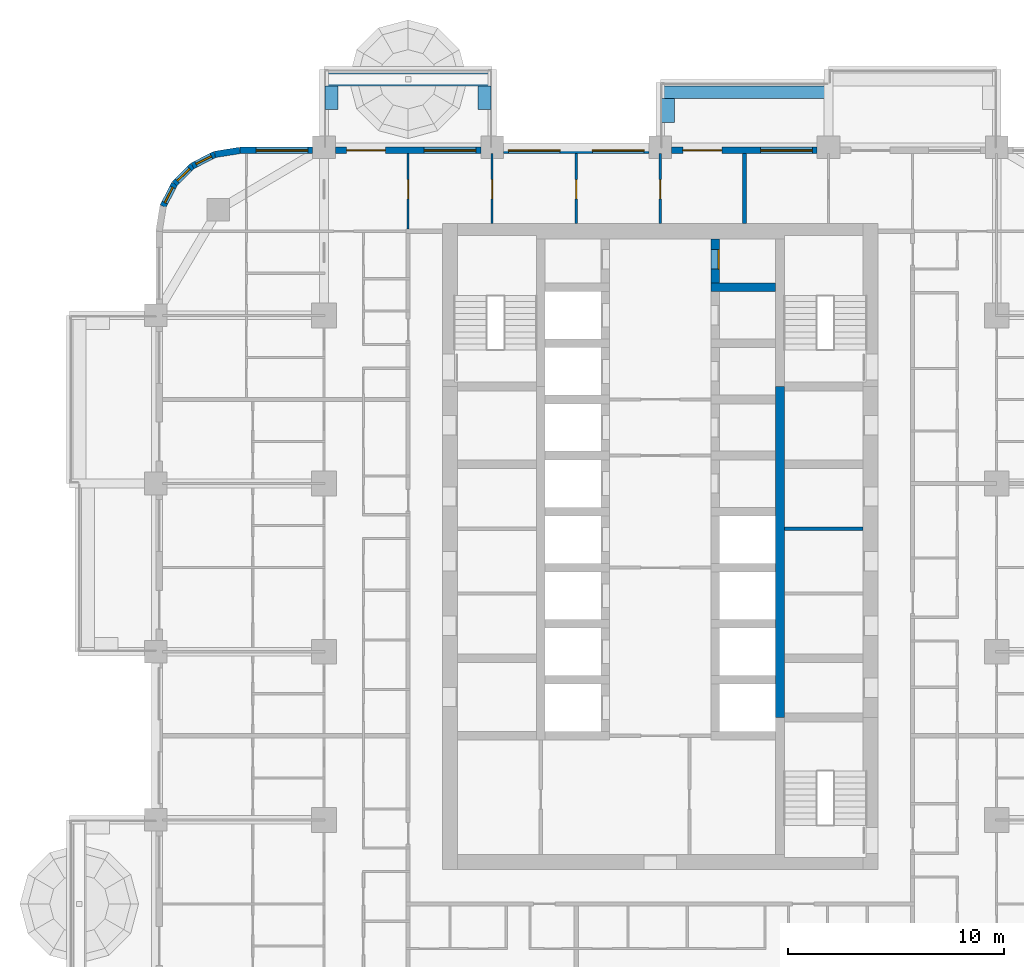
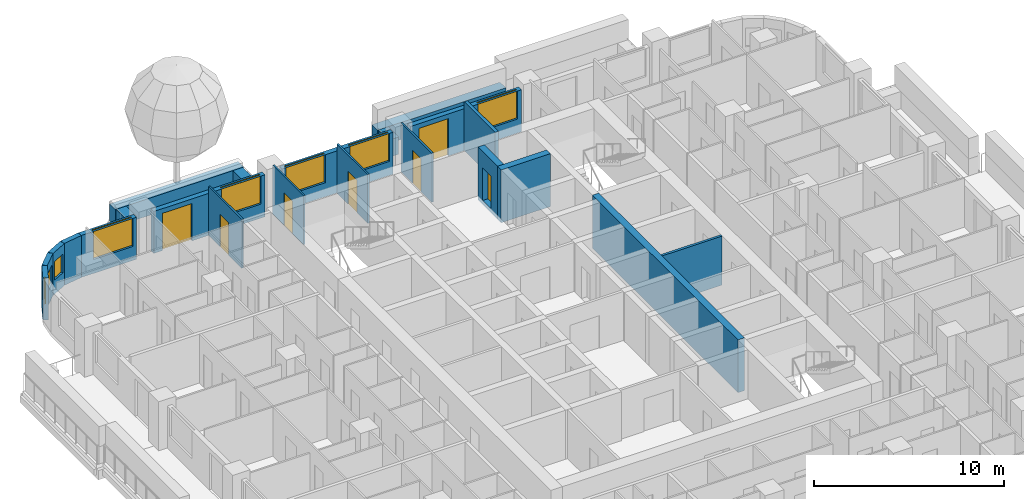
# One storey, part 12 of 19: 22 walls, 8 windows, 7 doors, 15 openings.
"""IFC4 building model written with IfcOpenShell, lengths in metres."""

from ifc_helpers import new_model, si_unit, direction, frame, frame_2d, origin, place, context, subcontext, project, spatial, rectangle, extrude, material, layer, layer_set, type_object, element, fill, save


model = new_model("IFC4")

# Units and contexts
model_context = context("Model", 3, precision=1e-05, world=origin(), true_north=direction((0.0, 1.0)))
body_context = subcontext(model_context, "Body", "Model", "MODEL_VIEW")
ifc_project = project(units=[si_unit("LENGTHUNIT", "METRE"), si_unit("AREAUNIT", "SQUARE_METRE"), si_unit("VOLUMEUNIT", "CUBIC_METRE"), si_unit("PLANEANGLEUNIT", "RADIAN"), si_unit("MASSUNIT", "GRAM", prefix="KILO")], contexts=[model_context])

# Site, building, storey
site_placement = place(None, origin())
site = spatial("IfcSite", under=ifc_project, at=site_placement, CompositionType="ELEMENT")
building_placement = place(site_placement, origin())
building = spatial("IfcBuilding", under=site, at=building_placement, Name="Ludao Terraces", CompositionType="ELEMENT")
storey_placement = place(building_placement, frame((0.0, 0.0, 36.5)))
storey = spatial("IfcBuildingStorey", under=building, at=storey_placement, Name="L09", CompositionType="ELEMENT", Elevation=36.5)

# Walls
ifc_material_1 = material(Name="Concrete C40", Category="concrete")
ifc_layer_1 = layer(ifc_material_1, 0.60009765625)
ifc_layer_set_1 = layer_set([ifc_layer_1], Name="ENV Planter trough 600")
wall_type_1 = type_object("IfcWallType", Name="ENV Planter trough 600", PredefinedType="USERDEFINED", material=ifc_layer_set_1)
wall_1_placement = place(storey_placement, frame((69.39990234375, 91.550048828125, 0.0), z_axis=(0.0, 0.0, 1.0), x_axis=(1.0, 0.0, 0.0)))
element("IfcWall", 1, at=wall_1_placement, inside=storey, type_object=wall_type_1, Name="PL-L09-N1", ObjectType="PLANTER", PredefinedType="USERDEFINED", context=body_context, shape_type="SweptSolid", body=[
    extrude(rectangle(XDim=7.800048828125, YDim=0.60009765625, at=frame_2d((3.89990234375, 0.0))), origin(), (0.0, 0.0, 1.0), 1.10009765625),
])
for number, where, z_axis, x_axis, name in (
    (2, (69.75, 91.25, 0.0), (0.0, 0.0, 1.0), (0.0, -1.0, 0.0), "PL-L09-N1-SA"),
    (3, (76.85009765625, 91.25, 0.0), (0.0, 0.0, 1.0), (0.0, -1.0, 0.0), "PL-L09-N1-SB"),
):
    element("IfcWall", number, at=place(storey_placement, frame(where, z_axis=z_axis, x_axis=x_axis)), inside=storey, type_object=wall_type_1, Name=name, ObjectType="PLANTER", PredefinedType="USERDEFINED", context=body_context, shape_type="SweptSolid", body=[
        extrude(rectangle(XDim=1.10009765625, YDim=0.60009765625, at=frame_2d((0.550048828125, 0.0))), origin(), (0.0, 0.0, 1.0), 1.10009765625),
    ])
wall_2_placement = place(storey_placement, frame((85.0, 90.949951171875, 0.0), z_axis=(0.0, 0.0, 1.0), x_axis=(1.0, 0.0, 0.0)))
element("IfcWall", 4, at=wall_2_placement, inside=storey, type_object=wall_type_1, Name="PL-L09-N3", ObjectType="PLANTER", PredefinedType="USERDEFINED", context=body_context, shape_type="SweptSolid", body=[
    extrude(rectangle(XDim=7.800048828125, YDim=0.60009765625, at=frame_2d((3.89990234375, 0.0))), origin(), (0.0, 0.0, 1.0), 1.10009765625),
])
wall_3_placement = place(storey_placement, frame((85.35009765625, 90.64990234375, 0.0), z_axis=(0.0, 0.0, 1.0), x_axis=(0.0, -1.0, 0.0)))
element("IfcWall", 5, at=wall_3_placement, inside=storey, type_object=wall_type_1, Name="PL-L09-N3-SA", ObjectType="PLANTER", PredefinedType="USERDEFINED", context=body_context, shape_type="SweptSolid", body=[
    extrude(rectangle(XDim=1.099853515625, YDim=0.60009765625, at=frame_2d((0.5498046875, 0.0))), origin(), (0.0, 0.0, 1.0), 1.10009765625),
])

# Wall, opening, window
ifc_material_2 = material(Name="Granite cladding", Category="masonry")
ifc_layer_2 = layer(ifc_material_2, 0.0400390625, Category="stone")
ifc_material_3 = material(Name="Mineral wool")
ifc_layer_3 = layer(ifc_material_3, 0.06005859375)
ifc_layer_4 = layer(ifc_material_1, 0.199951171875, Category="concrete")
ifc_layer_set_2 = layer_set([ifc_layer_2, ifc_layer_3, ifc_layer_4], Name="ENV Stone-clad wall 300")
wall_type_2 = type_object("IfcWallType", Name="ENV Stone-clad wall 300", PredefinedType="SOLIDWALL", material=ifc_layer_set_2)
wall_4_placement = place(storey_placement, frame((65.5, 88.25, 0.0), z_axis=(0.0, 0.0, 1.0), x_axis=(1.0, 0.0, 0.0)))
wall_4 = element("IfcWall", 6, at=wall_4_placement, inside=storey, type_object=wall_type_2, Name="EW-L09-N1", PredefinedType="SOLIDWALL", context=body_context, shape_type="SweptSolid", body=[
    extrude(rectangle(XDim=3.375, YDim=0.300048828125, at=frame_2d((1.6875, 0.0))), origin(), (0.0, 0.0, 1.0), 2.699951171875),
])
opening_1_placement = place(wall_4_placement, frame((0.75, 0.0, 0.89990234375)))
opening_1 = element("IfcOpeningElement", 7, at=opening_1_placement, cuts=wall_4, Name="Opening W1", PredefinedType="OPENING", context=body_context, shape_type="SweptSolid", body=[
    extrude(rectangle(XDim=2.39990234375, YDim=1.800048828125, at=frame_2d((1.199951171875, 0.89990234375))), frame((0.0, 0.16015625, 0.0), z_axis=(0.0, -1.0, 0.0), x_axis=(1.0, 0.0, 0.0)), (0.0, 0.0, 1.0), 0.320068359375),
])
ifc_material_4 = material(Name="Clear glass in aluminium frame", Category="aluminium")
ifc_layer_5 = layer(ifc_material_4, 0.06005859375)
ifc_layer_set_3 = layer_set([ifc_layer_5], Name="ENV Window W1 2400x1800")
window_type_1 = type_object("IfcWindowType", Name="ENV Window W1 2400x1800", PartitioningType="DOUBLE_PANEL_VERTICAL", PredefinedType="WINDOW", material=ifc_layer_set_3)
window_1_placement = place(opening_1_placement, origin())
window_1 = element("IfcWindow", 8, at=window_1_placement, inside=storey, type_object=window_type_1, Name="W-L09-N1-1", OverallHeight=1.800048828125, OverallWidth=2.39990234375, PartitioningType="DOUBLE_PANEL_VERTICAL", PredefinedType="WINDOW", context=body_context, shape_type="SweptSolid", body=[
    extrude(rectangle(XDim=2.39990234375, YDim=1.800048828125, at=frame_2d((1.199951171875, 0.89990234375))), frame((0.0, 0.030029296875, 0.0), z_axis=(0.0, -1.0, 0.0), x_axis=(1.0, 0.0, 0.0)), (0.0, 0.0, 1.0), 0.06005859375),
])
fill(opening_1, window_1)

# Wall, openings, door, window
wall_5_placement = place(storey_placement, frame((69.925048828125, 88.25, 0.0), z_axis=(0.0, 0.0, 1.0), x_axis=(1.0, 0.0, 0.0)))
wall_5 = element("IfcWall", 9, at=wall_5_placement, inside=storey, type_object=wall_type_2, Name="EW-L09-N2", PredefinedType="SOLIDWALL", context=body_context, shape_type="SweptSolid", body=[
    extrude(rectangle(XDim=6.75, YDim=0.300048828125, at=frame_2d((3.375, 0.0))), origin(), (0.0, 0.0, 1.0), 2.699951171875),
])
opening_2_placement = place(wall_5_placement, frame((0.52490234375, 0.0, 0.0)))
opening_2 = element("IfcOpeningElement", 10, at=opening_2_placement, cuts=wall_5, Name="Opening BD", PredefinedType="OPENING", context=body_context, shape_type="SweptSolid", body=[
    extrude(rectangle(XDim=1.800048828125, YDim=2.39990234375, at=frame_2d((0.89990234375, 1.199951171875))), frame((0.0, 0.16015625, 0.0), z_axis=(0.0, -1.0, 0.0), x_axis=(1.0, 0.0, 0.0)), (0.0, 0.0, 1.0), 0.320068359375),
])
opening_3_placement = place(wall_5_placement, frame((4.125, 0.0, 0.89990234375)))
opening_3 = element("IfcOpeningElement", 11, at=opening_3_placement, cuts=wall_5, Name="Opening W1", PredefinedType="OPENING", context=body_context, shape_type="SweptSolid", body=[
    extrude(rectangle(XDim=2.39990234375, YDim=1.800048828125, at=frame_2d((1.199951171875, 0.89990234375))), frame((0.0, 0.16015625, 0.0), z_axis=(0.0, -1.0, 0.0), x_axis=(1.0, 0.0, 0.0)), (0.0, 0.0, 1.0), 0.320068359375),
])
ifc_material_5 = material(Name="Aluminium glazed door", Category="aluminium")
ifc_layer_6 = layer(ifc_material_5, 0.06005859375)
ifc_layer_set_4 = layer_set([ifc_layer_6], Name="ENV Balcony door BD 1800x2400")
door_type_1 = type_object("IfcDoorType", Name="ENV Balcony door BD 1800x2400", OperationType="DOUBLE_DOOR_SINGLE_SWING", PredefinedType="DOOR", material=ifc_layer_set_4)
door_1_placement = place(opening_2_placement, origin())
door_1 = element("IfcDoor", 12, at=door_1_placement, inside=storey, type_object=door_type_1, Name="BD-L09-N2-1", OperationType="DOUBLE_DOOR_SINGLE_SWING", OverallHeight=2.39990234375, OverallWidth=1.800048828125, PredefinedType="DOOR", context=body_context, shape_type="SweptSolid", body=[
    extrude(rectangle(XDim=1.800048828125, YDim=2.39990234375, at=frame_2d((0.89990234375, 1.199951171875))), frame((0.0, 0.02490234375, 0.0), z_axis=(0.0, -1.0, 0.0), x_axis=(1.0, 0.0, 0.0)), (0.0, 0.0, 1.0), 0.050048828125),
])
fill(opening_2, door_1)
window_2_placement = place(opening_3_placement, origin())
window_2 = element("IfcWindow", 13, at=window_2_placement, inside=storey, type_object=window_type_1, Name="W-L09-N2-2", OverallHeight=1.800048828125, OverallWidth=2.39990234375, PartitioningType="DOUBLE_PANEL_VERTICAL", PredefinedType="WINDOW", context=body_context, shape_type="SweptSolid", body=[
    extrude(rectangle(XDim=2.39990234375, YDim=1.800048828125, at=frame_2d((1.199951171875, 0.89990234375))), frame((0.0, 0.030029296875, 0.0), z_axis=(0.0, -1.0, 0.0), x_axis=(1.0, 0.0, 0.0)), (0.0, 0.0, 1.0), 0.06005859375),
])
fill(opening_3, window_2)

# Wall, openings, windows
wall_6_placement = place(storey_placement, frame((77.72509765625, 88.25, 0.0), z_axis=(0.0, 0.0, 1.0), x_axis=(1.0, 0.0, 0.0)))
wall_6 = element("IfcWall", 14, at=wall_6_placement, inside=storey, type_object=wall_type_2, Name="EW-L09-N3", PredefinedType="SOLIDWALL", context=body_context, shape_type="SweptSolid", body=[
    extrude(rectangle(XDim=6.75, YDim=0.300048828125, at=frame_2d((3.375, 0.0))), origin(), (0.0, 0.0, 1.0), 2.699951171875),
])
opening_4_placement = place(wall_6_placement, frame((0.22509765625, 0.0, 0.89990234375)))
opening_4 = element("IfcOpeningElement", 15, at=opening_4_placement, cuts=wall_6, Name="Opening W1", PredefinedType="OPENING", context=body_context, shape_type="SweptSolid", body=[
    extrude(rectangle(XDim=2.39990234375, YDim=1.800048828125, at=frame_2d((1.199951171875, 0.89990234375))), frame((0.0, 0.16015625, 0.0), z_axis=(0.0, -1.0, 0.0), x_axis=(1.0, 0.0, 0.0)), (0.0, 0.0, 1.0), 0.320068359375),
])
opening_5_placement = place(wall_6_placement, frame((4.125, 0.0, 0.89990234375)))
opening_5 = element("IfcOpeningElement", 16, at=opening_5_placement, cuts=wall_6, Name="Opening W1", PredefinedType="OPENING", context=body_context, shape_type="SweptSolid", body=[
    extrude(rectangle(XDim=2.39990234375, YDim=1.800048828125, at=frame_2d((1.199951171875, 0.89990234375))), frame((0.0, 0.16015625, 0.0), z_axis=(0.0, -1.0, 0.0), x_axis=(1.0, 0.0, 0.0)), (0.0, 0.0, 1.0), 0.320068359375),
])
window_3_placement = place(opening_4_placement, origin())
window_3 = element("IfcWindow", 17, at=window_3_placement, inside=storey, type_object=window_type_1, Name="W-L09-N3-1", OverallHeight=1.800048828125, OverallWidth=2.39990234375, PartitioningType="DOUBLE_PANEL_VERTICAL", PredefinedType="WINDOW", context=body_context, shape_type="SweptSolid", body=[
    extrude(rectangle(XDim=2.39990234375, YDim=1.800048828125, at=frame_2d((1.199951171875, 0.89990234375))), frame((0.0, 0.030029296875, 0.0), z_axis=(0.0, -1.0, 0.0), x_axis=(1.0, 0.0, 0.0)), (0.0, 0.0, 1.0), 0.06005859375),
])
fill(opening_4, window_3)
window_4_placement = place(opening_5_placement, origin())
window_4 = element("IfcWindow", 18, at=window_4_placement, inside=storey, type_object=window_type_1, Name="W-L09-N3-2", OverallHeight=1.800048828125, OverallWidth=2.39990234375, PartitioningType="DOUBLE_PANEL_VERTICAL", PredefinedType="WINDOW", context=body_context, shape_type="SweptSolid", body=[
    extrude(rectangle(XDim=2.39990234375, YDim=1.800048828125, at=frame_2d((1.199951171875, 0.89990234375))), frame((0.0, 0.030029296875, 0.0), z_axis=(0.0, -1.0, 0.0), x_axis=(1.0, 0.0, 0.0)), (0.0, 0.0, 1.0), 0.06005859375),
])
fill(opening_5, window_4)

# Wall, openings, door, window
wall_7_placement = place(storey_placement, frame((85.52490234375, 88.25, 0.0), z_axis=(0.0, 0.0, 1.0), x_axis=(1.0, 0.0, 0.0)))
wall_7 = element("IfcWall", 19, at=wall_7_placement, inside=storey, type_object=wall_type_2, Name="EW-L09-N4", PredefinedType="SOLIDWALL", context=body_context, shape_type="SweptSolid", body=[
    extrude(rectangle(XDim=6.75, YDim=0.300048828125, at=frame_2d((3.375, 0.0))), origin(), (0.0, 0.0, 1.0), 2.699951171875),
])
opening_6_placement = place(wall_7_placement, frame((0.52490234375, 0.0, 0.0)))
opening_6 = element("IfcOpeningElement", 20, at=opening_6_placement, cuts=wall_7, Name="Opening BD", PredefinedType="OPENING", context=body_context, shape_type="SweptSolid", body=[
    extrude(rectangle(XDim=1.800048828125, YDim=2.39990234375, at=frame_2d((0.89990234375, 1.199951171875))), frame((0.0, 0.16015625, 0.0), z_axis=(0.0, -1.0, 0.0), x_axis=(1.0, 0.0, 0.0)), (0.0, 0.0, 1.0), 0.320068359375),
])
opening_7_placement = place(wall_7_placement, frame((4.125, 0.0, 0.89990234375)))
opening_7 = element("IfcOpeningElement", 21, at=opening_7_placement, cuts=wall_7, Name="Opening W1", PredefinedType="OPENING", context=body_context, shape_type="SweptSolid", body=[
    extrude(rectangle(XDim=2.39990234375, YDim=1.800048828125, at=frame_2d((1.199951171875, 0.89990234375))), frame((0.0, 0.16015625, 0.0), z_axis=(0.0, -1.0, 0.0), x_axis=(1.0, 0.0, 0.0)), (0.0, 0.0, 1.0), 0.320068359375),
])
door_2_placement = place(opening_6_placement, origin())
door_2 = element("IfcDoor", 22, at=door_2_placement, inside=storey, type_object=door_type_1, Name="BD-L09-N4-1", OperationType="DOUBLE_DOOR_SINGLE_SWING", OverallHeight=2.39990234375, OverallWidth=1.800048828125, PredefinedType="DOOR", context=body_context, shape_type="SweptSolid", body=[
    extrude(rectangle(XDim=1.800048828125, YDim=2.39990234375, at=frame_2d((0.89990234375, 1.199951171875))), frame((0.0, 0.02490234375, 0.0), z_axis=(0.0, -1.0, 0.0), x_axis=(1.0, 0.0, 0.0)), (0.0, 0.0, 1.0), 0.050048828125),
])
fill(opening_6, door_2)
window_5_placement = place(opening_7_placement, origin())
window_5 = element("IfcWindow", 23, at=window_5_placement, inside=storey, type_object=window_type_1, Name="W-L09-N4-2", OverallHeight=1.800048828125, OverallWidth=2.39990234375, PartitioningType="DOUBLE_PANEL_VERTICAL", PredefinedType="WINDOW", context=body_context, shape_type="SweptSolid", body=[
    extrude(rectangle(XDim=2.39990234375, YDim=1.800048828125, at=frame_2d((1.199951171875, 0.89990234375))), frame((0.0, 0.030029296875, 0.0), z_axis=(0.0, -1.0, 0.0), x_axis=(1.0, 0.0, 0.0)), (0.0, 0.0, 1.0), 0.06005859375),
])
fill(opening_7, window_5)

# Wall
wall_8_placement = place(storey_placement, frame((65.5, 88.25, 0.0), z_axis=(0.0, 0.0, 1.0), x_axis=(-0.987678452879, -0.156496880861, 0.0)))
element("IfcWall", 24, at=wall_8_placement, inside=storey, type_object=wall_type_2, Name="EW-L09-NW1", PredefinedType="SOLIDWALL", context=body_context, shape_type="SweptSolid", body=[
    extrude(rectangle(XDim=1.173095703125, YDim=0.300048828125, at=frame_2d((0.58642578125, 0.0))), origin(), (0.0, 0.0, 1.0), 2.699951171875),
])

# Wall, opening, window
wall_9_placement = place(storey_placement, frame((64.34130859375, 88.06640625, 0.0), z_axis=(0.0, 0.0, 1.0), x_axis=(-0.890988677504, -0.454025524128, 0.0)))
wall_9 = element("IfcWall", 25, at=wall_9_placement, inside=storey, type_object=wall_type_2, Name="EW-L09-NW2", PredefinedType="SOLIDWALL", context=body_context, shape_type="SweptSolid", body=[
    extrude(rectangle(XDim=1.17333984375, YDim=0.300048828125, at=frame_2d((0.586669921875, 0.0))), origin(), (0.0, 0.0, 1.0), 2.699951171875),
])
opening_8_placement = place(wall_9_placement, frame((0.1865234375, 0.0, 0.89990234375)))
opening_8 = element("IfcOpeningElement", 26, at=opening_8_placement, cuts=wall_9, Name="Opening W3", PredefinedType="OPENING", context=body_context, shape_type="SweptSolid", body=[
    extrude(rectangle(XDim=0.800048828125, YDim=1.199951171875, at=frame_2d((0.39990234375, 0.60009765625))), frame((0.0, 0.16015625, 0.0), z_axis=(0.0, -1.0, 0.0), x_axis=(1.0, 0.0, 0.0)), (0.0, 0.0, 1.0), 0.320068359375),
])
ifc_layer_7 = layer(ifc_material_4, 0.06005859375)
ifc_layer_set_5 = layer_set([ifc_layer_7], Name="ENV Window W3 800x1200")
window_type_2 = type_object("IfcWindowType", Name="ENV Window W3 800x1200", PartitioningType="SINGLE_PANEL", PredefinedType="WINDOW", material=ifc_layer_set_5)
window_6_placement = place(opening_8_placement, origin())
window_6 = element("IfcWindow", 27, at=window_6_placement, inside=storey, type_object=window_type_2, Name="W-L09-NW2", OverallHeight=1.199951171875, OverallWidth=0.800048828125, PartitioningType="SINGLE_PANEL", PredefinedType="WINDOW", context=body_context, shape_type="SweptSolid", body=[
    extrude(rectangle(XDim=0.800048828125, YDim=1.199951171875, at=frame_2d((0.39990234375, 0.60009765625))), frame((0.0, 0.030029296875, 0.0), z_axis=(0.0, -1.0, 0.0), x_axis=(1.0, 0.0, 0.0)), (0.0, 0.0, 1.0), 0.06005859375),
])
fill(opening_8, window_6)

wall_10_placement = place(storey_placement, frame((63.2958984375, 87.53369140625, 0.0), z_axis=(0.0, 0.0, 1.0), x_axis=(-0.707106781187, -0.707106781187, 0.0)))
wall_10 = element("IfcWall", 28, at=wall_10_placement, inside=storey, type_object=wall_type_2, Name="EW-L09-NW3", PredefinedType="SOLIDWALL", context=body_context, shape_type="SweptSolid", body=[
    extrude(rectangle(XDim=1.173095703125, YDim=0.300048828125, at=frame_2d((0.58642578125, 0.0))), origin(), (0.0, 0.0, 1.0), 2.699951171875),
])
opening_9_placement = place(wall_10_placement, frame((0.1865234375, 0.0, 0.89990234375)))
opening_9 = element("IfcOpeningElement", 29, at=opening_9_placement, cuts=wall_10, Name="Opening W3", PredefinedType="OPENING", context=body_context, shape_type="SweptSolid", body=[
    extrude(rectangle(XDim=0.800048828125, YDim=1.199951171875, at=frame_2d((0.39990234375, 0.60009765625))), frame((0.0, 0.16015625, 0.0), z_axis=(0.0, -1.0, 0.0), x_axis=(1.0, 0.0, 0.0)), (0.0, 0.0, 1.0), 0.320068359375),
])
window_7_placement = place(opening_9_placement, origin())
window_7 = element("IfcWindow", 30, at=window_7_placement, inside=storey, type_object=window_type_2, Name="W-L09-NW3", OverallHeight=1.199951171875, OverallWidth=0.800048828125, PartitioningType="SINGLE_PANEL", PredefinedType="WINDOW", context=body_context, shape_type="SweptSolid", body=[
    extrude(rectangle(XDim=0.800048828125, YDim=1.199951171875, at=frame_2d((0.39990234375, 0.60009765625))), frame((0.0, 0.030029296875, 0.0), z_axis=(0.0, -1.0, 0.0), x_axis=(1.0, 0.0, 0.0)), (0.0, 0.0, 1.0), 0.06005859375),
])
fill(opening_9, window_7)

wall_11_placement = place(storey_placement, frame((62.46630859375, 86.7041015625, 0.0), z_axis=(0.0, 0.0, 1.0), x_axis=(-0.454025524128, -0.890988677504, 0.0)))
wall_11 = element("IfcWall", 31, at=wall_11_placement, inside=storey, type_object=wall_type_2, Name="EW-L09-NW4", PredefinedType="SOLIDWALL", context=body_context, shape_type="SweptSolid", body=[
    extrude(rectangle(XDim=1.17333984375, YDim=0.300048828125, at=frame_2d((0.586669921875, 0.0))), origin(), (0.0, 0.0, 1.0), 2.699951171875),
])
opening_10_placement = place(wall_11_placement, frame((0.1865234375, 0.0, 0.89990234375)))
opening_10 = element("IfcOpeningElement", 32, at=opening_10_placement, cuts=wall_11, Name="Opening W3", PredefinedType="OPENING", context=body_context, shape_type="SweptSolid", body=[
    extrude(rectangle(XDim=0.800048828125, YDim=1.199951171875, at=frame_2d((0.39990234375, 0.60009765625))), frame((0.0, 0.16015625, 0.0), z_axis=(0.0, -1.0, 0.0), x_axis=(1.0, 0.0, 0.0)), (0.0, 0.0, 1.0), 0.320068359375),
])
window_8_placement = place(opening_10_placement, origin())
window_8 = element("IfcWindow", 33, at=window_8_placement, inside=storey, type_object=window_type_2, Name="W-L09-NW4", OverallHeight=1.199951171875, OverallWidth=0.800048828125, PartitioningType="SINGLE_PANEL", PredefinedType="WINDOW", context=body_context, shape_type="SweptSolid", body=[
    extrude(rectangle(XDim=0.800048828125, YDim=1.199951171875, at=frame_2d((0.39990234375, 0.60009765625))), frame((0.0, 0.030029296875, 0.0), z_axis=(0.0, -1.0, 0.0), x_axis=(1.0, 0.0, 0.0)), (0.0, 0.0, 1.0), 0.06005859375),
])
fill(opening_10, window_8)

# Wall
ifc_material_6 = material(Name="Fire-rated gypsum plasterboard", Category="gypsum")
ifc_layer_8 = layer(ifc_material_6, 0.012451171875, Category="gypsum")
ifc_layer_9 = layer(ifc_material_3, 0.10009765625, Name="insulation")
ifc_material_7 = material(Name="Steel Q235", Category="steel")
ifc_layer_10 = layer(ifc_material_7, 0.02490234375, Name="stud")
ifc_layer_11 = layer(ifc_material_6, 0.012451171875, Category="gypsum")
ifc_layer_set_6 = layer_set([ifc_layer_8, ifc_layer_9, ifc_layer_10, ifc_layer_11], Name="INT Core partition 150")
wall_type_3 = type_object("IfcWallType", Name="INT Core partition 150", PredefinedType="PARTITIONING", material=ifc_layer_set_6)
wall_12_placement = place(storey_placement, frame((90.75, 70.699951171875, 0.0), z_axis=(0.0, 0.0, 1.0), x_axis=(1.0, 0.0, 0.0)))
element("IfcWall", 34, at=wall_12_placement, inside=storey, type_object=wall_type_3, Name="PW-L09-PW052", PredefinedType="PARTITIONING", context=body_context, shape_type="SweptSolid", body=[
    extrude(rectangle(XDim=3.650146484375, YDim=0.14990234375, at=frame_2d((1.8251953125, 0.0))), origin(), (0.0, 0.0, 1.0), 3.14990234375),
])

# Wall, opening, door
ifc_material_8 = material(Name="Gypsum plasterboard", Category="gypsum")
ifc_layer_12 = layer(ifc_material_8, 0.012451171875, Category="gypsum")
ifc_layer_13 = layer(ifc_material_3, 0.06005859375, Name="insulation")
ifc_layer_14 = layer(ifc_material_7, 0.014892578125, Name="stud")
ifc_layer_15 = layer(ifc_material_8, 0.012451171875, Category="gypsum")
ifc_layer_set_7 = layer_set([ifc_layer_12, ifc_layer_13, ifc_layer_14, ifc_layer_15], Name="INT Partition 100")
wall_type_4 = type_object("IfcWallType", Name="INT Partition 100", PredefinedType="PARTITIONING", material=ifc_layer_set_7)
wall_13_placement = place(storey_placement, frame((73.300048828125, 84.60009765625, 0.0), z_axis=(0.0, 0.0, 1.0), x_axis=(0.0, 1.0, 0.0)))
wall_13 = element("IfcWall", 35, at=wall_13_placement, inside=storey, type_object=wall_type_4, Name="PW-L09-PW090", PredefinedType="PARTITIONING", context=body_context, shape_type="SweptSolid", body=[
    extrude(rectangle(XDim=3.5, YDim=0.10009765625, at=frame_2d((1.75, 0.0))), origin(), (0.0, 0.0, 1.0), 3.14990234375),
])
opening_11_placement = place(wall_13_placement, frame((1.39990234375, 0.0, 0.0)))
opening_11 = element("IfcOpeningElement", 36, at=opening_11_placement, cuts=wall_13, Name="Opening R02-159", PredefinedType="OPENING", context=body_context, shape_type="SweptSolid", body=[
    extrude(rectangle(XDim=0.89990234375, YDim=2.10009765625, at=frame_2d((0.449951171875, 1.050048828125))), frame((0.0, 0.06005859375, 0.0), z_axis=(0.0, -1.0, 0.0), x_axis=(1.0, 0.0, 0.0)), (0.0, 0.0, 1.0), 0.1201171875),
])
ifc_material_9 = material(Name="Timber door leaf", Category="wood")
door_type_2 = type_object("IfcDoorType", Name="INT Room door 900", OperationType="SINGLE_SWING_LEFT", PredefinedType="DOOR", material=ifc_material_9)
door_3_placement = place(opening_11_placement, origin())
door_3 = element("IfcDoor", 37, at=door_3_placement, inside=storey, type_object=door_type_2, Name="DOOR 159", OperationType="SINGLE_SWING_LEFT", OverallHeight=2.10009765625, OverallWidth=0.89990234375, PredefinedType="DOOR", context=body_context, shape_type="SweptSolid", body=[
    extrude(rectangle(XDim=0.89990234375, YDim=2.10009765625, at=frame_2d((0.449951171875, 1.050048828125))), frame((0.0, 0.02490234375, 0.0), z_axis=(0.0, -1.0, 0.0), x_axis=(1.0, 0.0, 0.0)), (0.0, 0.0, 1.0), 0.050048828125),
])
fill(opening_11, door_3)

wall_14_placement = place(storey_placement, frame((77.199951171875, 84.85009765625, 0.0), z_axis=(0.0, 0.0, 1.0), x_axis=(0.0, 1.0, 0.0)))
wall_14 = element("IfcWall", 38, at=wall_14_placement, inside=storey, type_object=wall_type_4, Name="PW-L09-PW093", PredefinedType="PARTITIONING", context=body_context, shape_type="SweptSolid", body=[
    extrude(rectangle(XDim=3.25, YDim=0.10009765625, at=frame_2d((1.625, 0.0))), origin(), (0.0, 0.0, 1.0), 3.14990234375),
])
opening_12_placement = place(wall_14_placement, frame((1.14990234375, 0.0, 0.0)))
opening_12 = element("IfcOpeningElement", 39, at=opening_12_placement, cuts=wall_14, Name="Opening R02-160", PredefinedType="OPENING", context=body_context, shape_type="SweptSolid", body=[
    extrude(rectangle(XDim=0.89990234375, YDim=2.10009765625, at=frame_2d((0.449951171875, 1.050048828125))), frame((0.0, 0.06005859375, 0.0), z_axis=(0.0, -1.0, 0.0), x_axis=(1.0, 0.0, 0.0)), (0.0, 0.0, 1.0), 0.1201171875),
])
door_4_placement = place(opening_12_placement, origin())
door_4 = element("IfcDoor", 40, at=door_4_placement, inside=storey, type_object=door_type_2, Name="DOOR 160", OperationType="SINGLE_SWING_RIGHT", OverallHeight=2.10009765625, OverallWidth=0.89990234375, PredefinedType="DOOR", context=body_context, shape_type="SweptSolid", body=[
    extrude(rectangle(XDim=0.89990234375, YDim=2.10009765625, at=frame_2d((0.449951171875, 1.050048828125))), frame((0.0, 0.02490234375, 0.0), z_axis=(0.0, -1.0, 0.0), x_axis=(1.0, 0.0, 0.0)), (0.0, 0.0, 1.0), 0.050048828125),
])
fill(opening_12, door_4)

wall_15_placement = place(storey_placement, frame((81.10009765625, 84.85009765625, 0.0), z_axis=(0.0, 0.0, 1.0), x_axis=(0.0, 1.0, 0.0)))
wall_15 = element("IfcWall", 41, at=wall_15_placement, inside=storey, type_object=wall_type_4, Name="PW-L09-PW099", PredefinedType="PARTITIONING", context=body_context, shape_type="SweptSolid", body=[
    extrude(rectangle(XDim=3.25, YDim=0.10009765625, at=frame_2d((1.625, 0.0))), origin(), (0.0, 0.0, 1.0), 3.14990234375),
])
opening_13_placement = place(wall_15_placement, frame((1.14990234375, 0.0, 0.0)))
opening_13 = element("IfcOpeningElement", 42, at=opening_13_placement, cuts=wall_15, Name="Opening R02-161", PredefinedType="OPENING", context=body_context, shape_type="SweptSolid", body=[
    extrude(rectangle(XDim=0.89990234375, YDim=2.10009765625, at=frame_2d((0.449951171875, 1.050048828125))), frame((0.0, 0.06005859375, 0.0), z_axis=(0.0, -1.0, 0.0), x_axis=(1.0, 0.0, 0.0)), (0.0, 0.0, 1.0), 0.1201171875),
])
door_5_placement = place(opening_13_placement, origin())
door_5 = element("IfcDoor", 43, at=door_5_placement, inside=storey, type_object=door_type_2, Name="DOOR 161", OperationType="SINGLE_SWING_RIGHT", OverallHeight=2.10009765625, OverallWidth=0.89990234375, PredefinedType="DOOR", context=body_context, shape_type="SweptSolid", body=[
    extrude(rectangle(XDim=0.89990234375, YDim=2.10009765625, at=frame_2d((0.449951171875, 1.050048828125))), frame((0.0, 0.02490234375, 0.0), z_axis=(0.0, -1.0, 0.0), x_axis=(1.0, 0.0, 0.0)), (0.0, 0.0, 1.0), 0.050048828125),
])
fill(opening_13, door_5)

wall_16_placement = place(storey_placement, frame((85.0, 84.85009765625, 0.0), z_axis=(0.0, 0.0, 1.0), x_axis=(0.0, 1.0, 0.0)))
wall_16 = element("IfcWall", 44, at=wall_16_placement, inside=storey, type_object=wall_type_4, Name="PW-L09-PW103", PredefinedType="PARTITIONING", context=body_context, shape_type="SweptSolid", body=[
    extrude(rectangle(XDim=3.25, YDim=0.10009765625, at=frame_2d((1.625, 0.0))), origin(), (0.0, 0.0, 1.0), 3.14990234375),
])
opening_14_placement = place(wall_16_placement, frame((1.14990234375, 0.0, 0.0)))
opening_14 = element("IfcOpeningElement", 45, at=opening_14_placement, cuts=wall_16, Name="Opening R02-162", PredefinedType="OPENING", context=body_context, shape_type="SweptSolid", body=[
    extrude(rectangle(XDim=0.89990234375, YDim=2.10009765625, at=frame_2d((0.449951171875, 1.050048828125))), frame((0.0, 0.06005859375, 0.0), z_axis=(0.0, -1.0, 0.0), x_axis=(1.0, 0.0, 0.0)), (0.0, 0.0, 1.0), 0.1201171875),
])
door_6_placement = place(opening_14_placement, origin())
door_6 = element("IfcDoor", 46, at=door_6_placement, inside=storey, type_object=door_type_2, Name="DOOR 162", OperationType="SINGLE_SWING_RIGHT", OverallHeight=2.10009765625, OverallWidth=0.89990234375, PredefinedType="DOOR", context=body_context, shape_type="SweptSolid", body=[
    extrude(rectangle(XDim=0.89990234375, YDim=2.10009765625, at=frame_2d((0.449951171875, 1.050048828125))), frame((0.0, 0.02490234375, 0.0), z_axis=(0.0, -1.0, 0.0), x_axis=(1.0, 0.0, 0.0)), (0.0, 0.0, 1.0), 0.050048828125),
])
fill(opening_14, door_6)

# Walls
ifc_material_10 = material(Name="Autoclaved aerated concrete block B06 A3.5", Category="concrete")
ifc_layer_16 = layer(ifc_material_10, 0.199951171875)
ifc_layer_set_8 = layer_set([ifc_layer_16], Name="INT Party wall 200")
wall_type_5 = type_object("IfcWallType", Name="INT Party wall 200", PredefinedType="PARTITIONING", material=ifc_layer_set_8)
wall_17_placement = place(storey_placement, frame((88.89990234375, 84.85009765625, 0.0), z_axis=(0.0, 0.0, 1.0), x_axis=(0.0, 1.0, 0.0)))
element("IfcWall", 47, at=wall_17_placement, inside=storey, type_object=wall_type_5, Name="PW-L09-PW107", PredefinedType="PARTITIONING", context=body_context, shape_type="SweptSolid", body=[
    extrude(rectangle(XDim=3.25, YDim=0.199951171875, at=frame_2d((1.625, 0.0))), origin(), (0.0, 0.0, 1.0), 3.14990234375),
])
ifc_material_11 = material(Name="Concrete C60", Category="concrete")
ifc_layer_17 = layer(ifc_material_11, 0.39990234375)
ifc_layer_set_9 = layer_set([ifc_layer_17], Name="Shaft wall 400 C60")
wall_type_6 = type_object("IfcWallType", Name="Shaft wall 400 C60", PredefinedType="SOLIDWALL", material=ifc_layer_set_9)
wall_18_placement = place(storey_placement, frame((90.550048828125, 61.949951171875, -0.25), z_axis=(0.0, 0.0, 1.0), x_axis=(0.0, 1.0, 0.0)))
element("IfcWall", 48, at=wall_18_placement, inside=storey, type_object=wall_type_6, Name="Core wall L09 back-E", PredefinedType="SOLIDWALL", context=body_context, shape_type="SweptSolid", body=[
    extrude(rectangle(XDim=15.35009765625, YDim=0.39990234375, at=frame_2d((7.675048828125, 0.0))), origin(), (0.0, 0.0, 1.0), 3.39990234375),
])
wall_19_placement = place(storey_placement, frame((87.35009765625, 81.89990234375, -0.25), z_axis=(0.0, 0.0, 1.0), x_axis=(1.0, 0.0, 0.0)))
element("IfcWall", 49, at=wall_19_placement, inside=storey, type_object=wall_type_6, Name="Core wall L09 div-E9", PredefinedType="SOLIDWALL", context=body_context, shape_type="SweptSolid", body=[
    extrude(rectangle(XDim=3.0, YDim=0.39990234375, at=frame_2d((1.5, 0.0))), origin(), (0.0, 0.0, 1.0), 3.39990234375),
])

# Wall, opening, door
wall_20_placement = place(storey_placement, frame((87.550048828125, 82.10009765625, -0.25), z_axis=(0.0, 0.0, 1.0), x_axis=(0.0, 1.0, 0.0)))
wall_20 = element("IfcWall", 50, at=wall_20_placement, inside=storey, type_object=wall_type_6, Name="Core wall L09 front-E9", PredefinedType="SOLIDWALL", context=body_context, shape_type="SweptSolid", body=[
    extrude(rectangle(XDim=2.0498046875, YDim=0.39990234375, at=frame_2d((1.02490234375, 0.0))), origin(), (0.0, 0.0, 1.0), 3.39990234375),
])
opening_15_placement = place(wall_20_placement, frame((0.64990234375, 0.0, 0.25)))
opening_15 = element("IfcOpeningElement", 51, at=opening_15_placement, cuts=wall_20, Name="Opening R02-149", PredefinedType="OPENING", context=body_context, shape_type="SweptSolid", body=[
    extrude(rectangle(XDim=0.89990234375, YDim=2.10009765625, at=frame_2d((0.449951171875, 1.050048828125))), frame((0.0, 0.2099609375, 0.0), z_axis=(0.0, -1.0, 0.0), x_axis=(1.0, 0.0, 0.0)), (0.0, 0.0, 1.0), 0.419921875),
])
door_7_placement = place(opening_15_placement, origin())
door_7 = element("IfcDoor", 52, at=door_7_placement, inside=storey, type_object=door_type_2, Name="DOOR 149", OperationType="SINGLE_SWING_LEFT", OverallHeight=2.10009765625, OverallWidth=0.89990234375, PredefinedType="DOOR", context=body_context, shape_type="SweptSolid", body=[
    extrude(rectangle(XDim=0.89990234375, YDim=2.10009765625, at=frame_2d((0.449951171875, 1.050048828125))), frame((0.0, -0.134765625, 0.0), z_axis=(0.0, -1.0, 0.0), x_axis=(1.0, 0.0, 0.0)), (0.0, 0.0, 1.0), 0.050048828125),
])
fill(opening_15, door_7)

save(model, "model.ifc")
